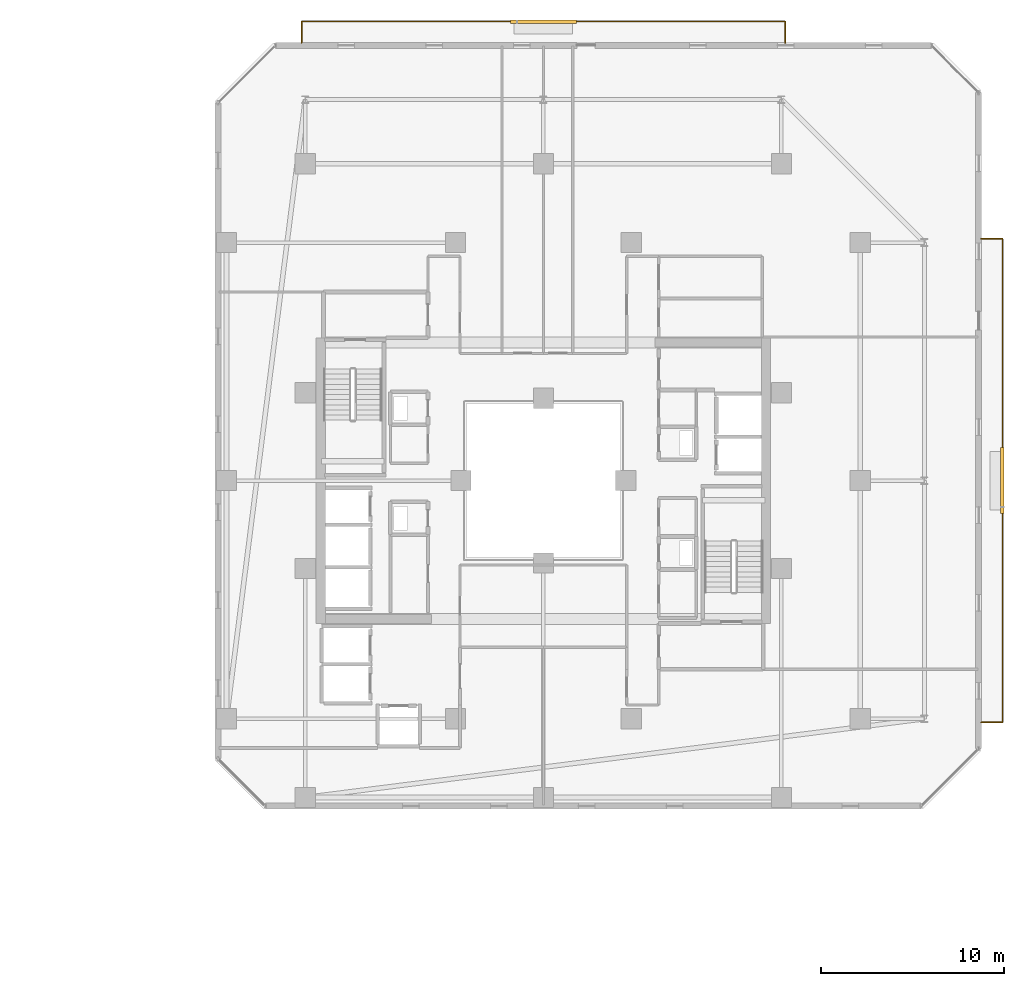
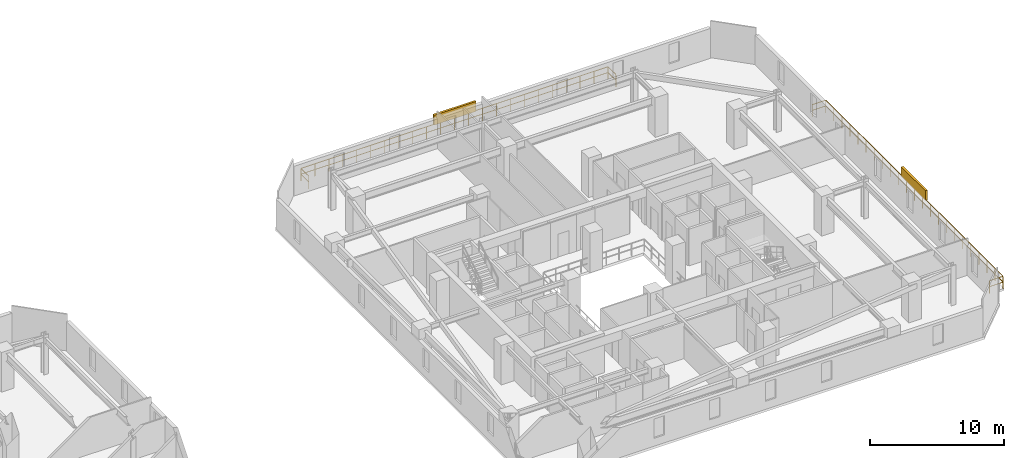
# One storey, part 33 of 33: 2 railings, 2 shading devices.
"""IFC4 building model written with IfcOpenShell, lengths in metres."""

from ifc_helpers import new_model, si_unit, direction, frame, origin, origin_2d, place, context, subcontext, project, spatial, rectangle, extrude, material, type_object, element, save


model = new_model("IFC4")

# Units and contexts
model_context = context("Model", 3, precision=1e-05, world=origin(), true_north=direction((0.0, 1.0)))
body_context = subcontext(model_context, "Body", "Model", "MODEL_VIEW")
ifc_project = project(units=[si_unit("LENGTHUNIT", "METRE"), si_unit("AREAUNIT", "SQUARE_METRE"), si_unit("VOLUMEUNIT", "CUBIC_METRE"), si_unit("PLANEANGLEUNIT", "RADIAN"), si_unit("MASSUNIT", "GRAM", prefix="KILO")], contexts=[model_context])

# Site, building, storey
site_placement = place(None, origin())
site = spatial("IfcSite", under=ifc_project, at=site_placement, CompositionType="ELEMENT")
building_placement = place(site_placement, origin())
building = spatial("IfcBuilding", under=site, at=building_placement, Name="Thornwick Lancets Civic Towers", CompositionType="ELEMENT")
storey_placement = place(building_placement, frame((0.0, 0.0, 163.5)))
storey = spatial("IfcBuildingStorey", under=building, at=storey_placement, Name="L43", CompositionType="ELEMENT", Elevation=163.5)

# Railings
ifc_material_1 = material(Name="Terracotta-capped laminated glass balustrade S355", Category="masonry")
railing_type = type_object("IfcRailingType", Name="RAIL_TERR_GUARD", PredefinedType="GUARDRAIL", material=ifc_material_1)
railing_1_placement = place(storey_placement, frame((112.39990234375, 13.800048828125, 0.0)))
element("IfcRailing", 1, at=railing_1_placement, inside=storey, type_object=railing_type, Name="L43 Tower B Balcony Guard E", PredefinedType="GUARDRAIL", context=body_context, shape_type="SweptSolid", body=[
    extrude(rectangle(XDim=0.048095703125, YDim=0.048095703125, at=origin_2d()), frame((0.0, 0.0, 1.1259765625), z_axis=(1.0, 0.0, 0.0), x_axis=(0.0, 1.0, 0.0)), (0.0, 0.0, 1.0), 1.138916015625),
    extrude(rectangle(XDim=0.0419921875, YDim=0.0419921875, at=origin_2d()), frame((0.03759765625, 0.0, 0.597900390625), z_axis=(1.0, 0.0, 0.0), x_axis=(0.0, 1.0, 0.0)), (0.0, 0.0, 1.0), 1.09521484375),
    extrude(rectangle(XDim=0.048095703125, YDim=0.048095703125, at=origin_2d()), frame((1.170166015625, 0.03125, 1.1259765625), z_axis=(0.0, 1.0, 0.0), x_axis=(-1.0, 0.0, 0.0)), (0.0, 0.0, 1.0), 26.33740234375),
    extrude(rectangle(XDim=0.0419921875, YDim=0.0419921875, at=origin_2d()), frame((1.170166015625, 0.03759765625, 0.597900390625), z_axis=(0.0, 1.0, 0.0), x_axis=(-1.0, 0.0, 0.0)), (0.0, 0.0, 1.0), 1.125),
    extrude(rectangle(XDim=0.0419921875, YDim=0.0419921875, at=origin_2d()), frame((1.170166015625, 1.237548828125, 0.597900390625), z_axis=(0.0, 1.0, 0.0), x_axis=(-1.0, 0.0, 0.0)), (0.0, 0.0, 1.0), 1.125),
    extrude(rectangle(XDim=0.0419921875, YDim=0.0419921875, at=origin_2d()), frame((1.170166015625, 2.4375, 0.597900390625), z_axis=(0.0, 1.0, 0.0), x_axis=(-1.0, 0.0, 0.0)), (0.0, 0.0, 1.0), 1.125),
    extrude(rectangle(XDim=0.0419921875, YDim=0.0419921875, at=origin_2d()), frame((1.170166015625, 3.637451171875, 0.597900390625), z_axis=(0.0, 1.0, 0.0), x_axis=(-1.0, 0.0, 0.0)), (0.0, 0.0, 1.0), 1.125),
    extrude(rectangle(XDim=0.0419921875, YDim=0.0419921875, at=origin_2d()), frame((1.170166015625, 4.83740234375, 0.597900390625), z_axis=(0.0, 1.0, 0.0), x_axis=(-1.0, 0.0, 0.0)), (0.0, 0.0, 1.0), 1.125),
    extrude(rectangle(XDim=0.0419921875, YDim=0.0419921875, at=origin_2d()), frame((1.170166015625, 6.037353515625, 0.597900390625), z_axis=(0.0, 1.0, 0.0), x_axis=(-1.0, 0.0, 0.0)), (0.0, 0.0, 1.0), 1.125),
    extrude(rectangle(XDim=0.0419921875, YDim=0.0419921875, at=origin_2d()), frame((1.170166015625, 7.237548828125, 0.597900390625), z_axis=(0.0, 1.0, 0.0), x_axis=(-1.0, 0.0, 0.0)), (0.0, 0.0, 1.0), 1.125),
    extrude(rectangle(XDim=0.0419921875, YDim=0.0419921875, at=origin_2d()), frame((1.170166015625, 8.4375, 0.597900390625), z_axis=(0.0, 1.0, 0.0), x_axis=(-1.0, 0.0, 0.0)), (0.0, 0.0, 1.0), 1.125),
    extrude(rectangle(XDim=0.0419921875, YDim=0.0419921875, at=origin_2d()), frame((1.170166015625, 9.637451171875, 0.597900390625), z_axis=(0.0, 1.0, 0.0), x_axis=(-1.0, 0.0, 0.0)), (0.0, 0.0, 1.0), 1.125),
    extrude(rectangle(XDim=0.0419921875, YDim=0.0419921875, at=origin_2d()), frame((1.170166015625, 10.83740234375, 0.597900390625), z_axis=(0.0, 1.0, 0.0), x_axis=(-1.0, 0.0, 0.0)), (0.0, 0.0, 1.0), 1.125),
    extrude(rectangle(XDim=0.0419921875, YDim=0.0419921875, at=origin_2d()), frame((1.170166015625, 12.037353515625, 0.597900390625), z_axis=(0.0, 1.0, 0.0), x_axis=(-1.0, 0.0, 0.0)), (0.0, 0.0, 1.0), 1.125),
    extrude(rectangle(XDim=0.0419921875, YDim=0.0419921875, at=origin_2d()), frame((1.170166015625, 13.237548828125, 0.597900390625), z_axis=(0.0, 1.0, 0.0), x_axis=(-1.0, 0.0, 0.0)), (0.0, 0.0, 1.0), 1.125),
    extrude(rectangle(XDim=0.0419921875, YDim=0.0419921875, at=origin_2d()), frame((1.170166015625, 14.4375, 0.597900390625), z_axis=(0.0, 1.0, 0.0), x_axis=(-1.0, 0.0, 0.0)), (0.0, 0.0, 1.0), 1.125),
    extrude(rectangle(XDim=0.0419921875, YDim=0.0419921875, at=origin_2d()), frame((1.170166015625, 15.637451171875, 0.597900390625), z_axis=(0.0, 1.0, 0.0), x_axis=(-1.0, 0.0, 0.0)), (0.0, 0.0, 1.0), 1.125),
    extrude(rectangle(XDim=0.0419921875, YDim=0.0419921875, at=origin_2d()), frame((1.170166015625, 16.83740234375, 0.597900390625), z_axis=(0.0, 1.0, 0.0), x_axis=(-1.0, 0.0, 0.0)), (0.0, 0.0, 1.0), 1.125),
    extrude(rectangle(XDim=0.0419921875, YDim=0.0419921875, at=origin_2d()), frame((1.170166015625, 18.037353515625, 0.597900390625), z_axis=(0.0, 1.0, 0.0), x_axis=(-1.0, 0.0, 0.0)), (0.0, 0.0, 1.0), 1.125),
    extrude(rectangle(XDim=0.0419921875, YDim=0.0419921875, at=origin_2d()), frame((1.170166015625, 19.2373046875, 0.597900390625), z_axis=(0.0, 1.0, 0.0), x_axis=(-1.0, 0.0, 0.0)), (0.0, 0.0, 1.0), 1.125),
    extrude(rectangle(XDim=0.0419921875, YDim=0.0419921875, at=origin_2d()), frame((1.170166015625, 20.4375, 0.597900390625), z_axis=(0.0, 1.0, 0.0), x_axis=(-1.0, 0.0, 0.0)), (0.0, 0.0, 1.0), 1.125),
    extrude(rectangle(XDim=0.0419921875, YDim=0.0419921875, at=origin_2d()), frame((1.170166015625, 21.637451171875, 0.597900390625), z_axis=(0.0, 1.0, 0.0), x_axis=(-1.0, 0.0, 0.0)), (0.0, 0.0, 1.0), 1.125),
    extrude(rectangle(XDim=0.0419921875, YDim=0.0419921875, at=origin_2d()), frame((1.170166015625, 22.83740234375, 0.597900390625), z_axis=(0.0, 1.0, 0.0), x_axis=(-1.0, 0.0, 0.0)), (0.0, 0.0, 1.0), 1.125),
    extrude(rectangle(XDim=0.0419921875, YDim=0.0419921875, at=origin_2d()), frame((1.170166015625, 24.037353515625, 0.597900390625), z_axis=(0.0, 1.0, 0.0), x_axis=(-1.0, 0.0, 0.0)), (0.0, 0.0, 1.0), 1.125),
    extrude(rectangle(XDim=0.0419921875, YDim=0.0419921875, at=origin_2d()), frame((1.170166015625, 25.2373046875, 0.597900390625), z_axis=(0.0, 1.0, 0.0), x_axis=(-1.0, 0.0, 0.0)), (0.0, 0.0, 1.0), 1.125),
    extrude(rectangle(XDim=0.048095703125, YDim=0.048095703125, at=origin_2d()), frame((1.138916015625, 26.39990234375, 1.1259765625), z_axis=(-1.0, 0.0, 0.0), x_axis=(0.0, -1.0, 0.0)), (0.0, 0.0, 1.0), 1.138916015625),
    extrude(rectangle(XDim=0.0419921875, YDim=0.0419921875, at=origin_2d()), frame((1.132568359375, 26.39990234375, 0.597900390625), z_axis=(-1.0, 0.0, 0.0), x_axis=(0.0, -1.0, 0.0)), (0.0, 0.0, 1.0), 1.09521484375),
    extrude(rectangle(XDim=0.0419921875, YDim=0.0419921875, at=origin_2d()), origin(), (0.0, 0.0, 1.0), 1.095703125),
    extrude(rectangle(XDim=0.0419921875, YDim=0.0419921875, at=origin_2d()), frame((1.170166015625, 0.0, 0.0)), (0.0, 0.0, 1.0), 1.095703125),
    extrude(rectangle(XDim=0.0419921875, YDim=0.0419921875, at=origin_2d()), frame((1.170166015625, 1.199951171875, 0.0)), (0.0, 0.0, 1.0), 1.095703125),
    extrude(rectangle(XDim=0.0419921875, YDim=0.0419921875, at=origin_2d()), frame((1.170166015625, 2.39990234375, 0.0)), (0.0, 0.0, 1.0), 1.095703125),
    extrude(rectangle(XDim=0.0419921875, YDim=0.0419921875, at=origin_2d()), frame((1.170166015625, 3.60009765625, 0.0)), (0.0, 0.0, 1.0), 1.095703125),
    extrude(rectangle(XDim=0.0419921875, YDim=0.0419921875, at=origin_2d()), frame((1.170166015625, 4.800048828125, 0.0)), (0.0, 0.0, 1.0), 1.095703125),
    extrude(rectangle(XDim=0.0419921875, YDim=0.0419921875, at=origin_2d()), frame((1.170166015625, 6.0, 0.0)), (0.0, 0.0, 1.0), 1.095703125),
    extrude(rectangle(XDim=0.0419921875, YDim=0.0419921875, at=origin_2d()), frame((1.170166015625, 7.199951171875, 0.0)), (0.0, 0.0, 1.0), 1.095703125),
    extrude(rectangle(XDim=0.0419921875, YDim=0.0419921875, at=origin_2d()), frame((1.170166015625, 8.39990234375, 0.0)), (0.0, 0.0, 1.0), 1.095703125),
    extrude(rectangle(XDim=0.0419921875, YDim=0.0419921875, at=origin_2d()), frame((1.170166015625, 9.599853515625, 0.0)), (0.0, 0.0, 1.0), 1.095703125),
    extrude(rectangle(XDim=0.0419921875, YDim=0.0419921875, at=origin_2d()), frame((1.170166015625, 10.800048828125, 0.0)), (0.0, 0.0, 1.0), 1.095703125),
    extrude(rectangle(XDim=0.0419921875, YDim=0.0419921875, at=origin_2d()), frame((1.170166015625, 12.0, 0.0)), (0.0, 0.0, 1.0), 1.095703125),
    extrude(rectangle(XDim=0.0419921875, YDim=0.0419921875, at=origin_2d()), frame((1.170166015625, 13.199951171875, 0.0)), (0.0, 0.0, 1.0), 1.095703125),
    extrude(rectangle(XDim=0.0419921875, YDim=0.0419921875, at=origin_2d()), frame((1.170166015625, 14.39990234375, 0.0)), (0.0, 0.0, 1.0), 1.095703125),
    extrude(rectangle(XDim=0.0419921875, YDim=0.0419921875, at=origin_2d()), frame((1.170166015625, 15.599853515625, 0.0)), (0.0, 0.0, 1.0), 1.095703125),
    extrude(rectangle(XDim=0.0419921875, YDim=0.0419921875, at=origin_2d()), frame((1.170166015625, 16.800048828125, 0.0)), (0.0, 0.0, 1.0), 1.095703125),
    extrude(rectangle(XDim=0.0419921875, YDim=0.0419921875, at=origin_2d()), frame((1.170166015625, 18.0, 0.0)), (0.0, 0.0, 1.0), 1.095703125),
    extrude(rectangle(XDim=0.0419921875, YDim=0.0419921875, at=origin_2d()), frame((1.170166015625, 19.199951171875, 0.0)), (0.0, 0.0, 1.0), 1.095703125),
    extrude(rectangle(XDim=0.0419921875, YDim=0.0419921875, at=origin_2d()), frame((1.170166015625, 20.39990234375, 0.0)), (0.0, 0.0, 1.0), 1.095703125),
    extrude(rectangle(XDim=0.0419921875, YDim=0.0419921875, at=origin_2d()), frame((1.170166015625, 21.599853515625, 0.0)), (0.0, 0.0, 1.0), 1.095703125),
    extrude(rectangle(XDim=0.0419921875, YDim=0.0419921875, at=origin_2d()), frame((1.170166015625, 22.7998046875, 0.0)), (0.0, 0.0, 1.0), 1.095703125),
    extrude(rectangle(XDim=0.0419921875, YDim=0.0419921875, at=origin_2d()), frame((1.170166015625, 24.0, 0.0)), (0.0, 0.0, 1.0), 1.095703125),
    extrude(rectangle(XDim=0.0419921875, YDim=0.0419921875, at=origin_2d()), frame((1.170166015625, 25.199951171875, 0.0)), (0.0, 0.0, 1.0), 1.095703125),
    extrude(rectangle(XDim=0.0419921875, YDim=0.0419921875, at=origin_2d()), frame((1.170166015625, 26.39990234375, 0.0)), (0.0, 0.0, 1.0), 1.095703125),
    extrude(rectangle(XDim=0.0419921875, YDim=0.0419921875, at=origin_2d()), frame((0.0, 26.39990234375, 0.0)), (0.0, 0.0, 1.0), 1.095703125),
])
railing_2_placement = place(storey_placement, frame((75.300048828125, 50.89990234375, 0.0)))
element("IfcRailing", 2, at=railing_2_placement, inside=storey, type_object=railing_type, Name="L43 Tower B Balcony Guard N", PredefinedType="GUARDRAIL", context=body_context, shape_type="SweptSolid", body=[
    extrude(rectangle(XDim=0.048095703125, YDim=0.048095703125, at=origin_2d()), frame((0.0, 0.0, 1.1259765625), z_axis=(0.0, 1.0, 0.0), x_axis=(-1.0, 0.0, 0.0)), (0.0, 0.0, 1.0), 1.138916015625),
    extrude(rectangle(XDim=0.0419921875, YDim=0.0419921875, at=origin_2d()), frame((0.0, 0.03759765625, 0.597900390625), z_axis=(0.0, 1.0, 0.0), x_axis=(-1.0, 0.0, 0.0)), (0.0, 0.0, 1.0), 1.09521484375),
    extrude(rectangle(XDim=0.048095703125, YDim=0.048095703125, at=origin_2d()), frame((0.03125, 1.170166015625, 1.1259765625), z_axis=(1.0, 0.0, 0.0), x_axis=(0.0, 1.0, 0.0)), (0.0, 0.0, 1.0), 26.33740234375),
    extrude(rectangle(XDim=0.0419921875, YDim=0.0419921875, at=origin_2d()), frame((0.03759765625, 1.170166015625, 0.597900390625), z_axis=(1.0, 0.0, 0.0), x_axis=(0.0, 1.0, 0.0)), (0.0, 0.0, 1.0), 1.125),
    extrude(rectangle(XDim=0.0419921875, YDim=0.0419921875, at=origin_2d()), frame((1.237548828125, 1.170166015625, 0.597900390625), z_axis=(1.0, 0.0, 0.0), x_axis=(0.0, 1.0, 0.0)), (0.0, 0.0, 1.0), 1.125),
    extrude(rectangle(XDim=0.0419921875, YDim=0.0419921875, at=origin_2d()), frame((2.4375, 1.170166015625, 0.597900390625), z_axis=(1.0, 0.0, 0.0), x_axis=(0.0, 1.0, 0.0)), (0.0, 0.0, 1.0), 1.125),
    extrude(rectangle(XDim=0.0419921875, YDim=0.0419921875, at=origin_2d()), frame((3.637451171875, 1.170166015625, 0.597900390625), z_axis=(1.0, 0.0, 0.0), x_axis=(0.0, 1.0, 0.0)), (0.0, 0.0, 1.0), 1.125),
    extrude(rectangle(XDim=0.0419921875, YDim=0.0419921875, at=origin_2d()), frame((4.83740234375, 1.170166015625, 0.597900390625), z_axis=(1.0, 0.0, 0.0), x_axis=(0.0, 1.0, 0.0)), (0.0, 0.0, 1.0), 1.125),
    extrude(rectangle(XDim=0.0419921875, YDim=0.0419921875, at=origin_2d()), frame((6.037353515625, 1.170166015625, 0.597900390625), z_axis=(1.0, 0.0, 0.0), x_axis=(0.0, 1.0, 0.0)), (0.0, 0.0, 1.0), 1.125),
    extrude(rectangle(XDim=0.0419921875, YDim=0.0419921875, at=origin_2d()), frame((7.237548828125, 1.170166015625, 0.597900390625), z_axis=(1.0, 0.0, 0.0), x_axis=(0.0, 1.0, 0.0)), (0.0, 0.0, 1.0), 1.125),
    extrude(rectangle(XDim=0.0419921875, YDim=0.0419921875, at=origin_2d()), frame((8.4375, 1.170166015625, 0.597900390625), z_axis=(1.0, 0.0, 0.0), x_axis=(0.0, 1.0, 0.0)), (0.0, 0.0, 1.0), 1.125),
    extrude(rectangle(XDim=0.0419921875, YDim=0.0419921875, at=origin_2d()), frame((9.637451171875, 1.170166015625, 0.597900390625), z_axis=(1.0, 0.0, 0.0), x_axis=(0.0, 1.0, 0.0)), (0.0, 0.0, 1.0), 1.125),
    extrude(rectangle(XDim=0.0419921875, YDim=0.0419921875, at=origin_2d()), frame((10.83740234375, 1.170166015625, 0.597900390625), z_axis=(1.0, 0.0, 0.0), x_axis=(0.0, 1.0, 0.0)), (0.0, 0.0, 1.0), 1.125),
    extrude(rectangle(XDim=0.0419921875, YDim=0.0419921875, at=origin_2d()), frame((12.037353515625, 1.170166015625, 0.597900390625), z_axis=(1.0, 0.0, 0.0), x_axis=(0.0, 1.0, 0.0)), (0.0, 0.0, 1.0), 1.125),
    extrude(rectangle(XDim=0.0419921875, YDim=0.0419921875, at=origin_2d()), frame((13.237548828125, 1.170166015625, 0.597900390625), z_axis=(1.0, 0.0, 0.0), x_axis=(0.0, 1.0, 0.0)), (0.0, 0.0, 1.0), 1.125),
    extrude(rectangle(XDim=0.0419921875, YDim=0.0419921875, at=origin_2d()), frame((14.4375, 1.170166015625, 0.597900390625), z_axis=(1.0, 0.0, 0.0), x_axis=(0.0, 1.0, 0.0)), (0.0, 0.0, 1.0), 1.125),
    extrude(rectangle(XDim=0.0419921875, YDim=0.0419921875, at=origin_2d()), frame((15.637451171875, 1.170166015625, 0.597900390625), z_axis=(1.0, 0.0, 0.0), x_axis=(0.0, 1.0, 0.0)), (0.0, 0.0, 1.0), 1.125),
    extrude(rectangle(XDim=0.0419921875, YDim=0.0419921875, at=origin_2d()), frame((16.83740234375, 1.170166015625, 0.597900390625), z_axis=(1.0, 0.0, 0.0), x_axis=(0.0, 1.0, 0.0)), (0.0, 0.0, 1.0), 1.125),
    extrude(rectangle(XDim=0.0419921875, YDim=0.0419921875, at=origin_2d()), frame((18.037353515625, 1.170166015625, 0.597900390625), z_axis=(1.0, 0.0, 0.0), x_axis=(0.0, 1.0, 0.0)), (0.0, 0.0, 1.0), 1.125),
    extrude(rectangle(XDim=0.0419921875, YDim=0.0419921875, at=origin_2d()), frame((19.2373046875, 1.170166015625, 0.597900390625), z_axis=(1.0, 0.0, 0.0), x_axis=(0.0, 1.0, 0.0)), (0.0, 0.0, 1.0), 1.125),
    extrude(rectangle(XDim=0.0419921875, YDim=0.0419921875, at=origin_2d()), frame((20.4375, 1.170166015625, 0.597900390625), z_axis=(1.0, 0.0, 0.0), x_axis=(0.0, 1.0, 0.0)), (0.0, 0.0, 1.0), 1.125),
    extrude(rectangle(XDim=0.0419921875, YDim=0.0419921875, at=origin_2d()), frame((21.637451171875, 1.170166015625, 0.597900390625), z_axis=(1.0, 0.0, 0.0), x_axis=(0.0, 1.0, 0.0)), (0.0, 0.0, 1.0), 1.125),
    extrude(rectangle(XDim=0.0419921875, YDim=0.0419921875, at=origin_2d()), frame((22.83740234375, 1.170166015625, 0.597900390625), z_axis=(1.0, 0.0, 0.0), x_axis=(0.0, 1.0, 0.0)), (0.0, 0.0, 1.0), 1.125),
    extrude(rectangle(XDim=0.0419921875, YDim=0.0419921875, at=origin_2d()), frame((24.037353515625, 1.170166015625, 0.597900390625), z_axis=(1.0, 0.0, 0.0), x_axis=(0.0, 1.0, 0.0)), (0.0, 0.0, 1.0), 1.125),
    extrude(rectangle(XDim=0.0419921875, YDim=0.0419921875, at=origin_2d()), frame((25.2373046875, 1.170166015625, 0.597900390625), z_axis=(1.0, 0.0, 0.0), x_axis=(0.0, 1.0, 0.0)), (0.0, 0.0, 1.0), 1.125),
    extrude(rectangle(XDim=0.048095703125, YDim=0.048095703125, at=origin_2d()), frame((26.39990234375, 1.138916015625, 1.1259765625), z_axis=(0.0, -1.0, 0.0), x_axis=(1.0, 0.0, 0.0)), (0.0, 0.0, 1.0), 1.138916015625),
    extrude(rectangle(XDim=0.0419921875, YDim=0.0419921875, at=origin_2d()), frame((26.39990234375, 1.132568359375, 0.597900390625), z_axis=(0.0, -1.0, 0.0), x_axis=(1.0, 0.0, 0.0)), (0.0, 0.0, 1.0), 1.09521484375),
    extrude(rectangle(XDim=0.0419921875, YDim=0.0419921875, at=origin_2d()), origin(), (0.0, 0.0, 1.0), 1.095703125),
    extrude(rectangle(XDim=0.0419921875, YDim=0.0419921875, at=origin_2d()), frame((0.0, 1.170166015625, 0.0)), (0.0, 0.0, 1.0), 1.095703125),
    extrude(rectangle(XDim=0.0419921875, YDim=0.0419921875, at=origin_2d()), frame((1.199951171875, 1.170166015625, 0.0)), (0.0, 0.0, 1.0), 1.095703125),
    extrude(rectangle(XDim=0.0419921875, YDim=0.0419921875, at=origin_2d()), frame((2.39990234375, 1.170166015625, 0.0)), (0.0, 0.0, 1.0), 1.095703125),
    extrude(rectangle(XDim=0.0419921875, YDim=0.0419921875, at=origin_2d()), frame((3.60009765625, 1.170166015625, 0.0)), (0.0, 0.0, 1.0), 1.095703125),
    extrude(rectangle(XDim=0.0419921875, YDim=0.0419921875, at=origin_2d()), frame((4.800048828125, 1.170166015625, 0.0)), (0.0, 0.0, 1.0), 1.095703125),
    extrude(rectangle(XDim=0.0419921875, YDim=0.0419921875, at=origin_2d()), frame((6.0, 1.170166015625, 0.0)), (0.0, 0.0, 1.0), 1.095703125),
    extrude(rectangle(XDim=0.0419921875, YDim=0.0419921875, at=origin_2d()), frame((7.199951171875, 1.170166015625, 0.0)), (0.0, 0.0, 1.0), 1.095703125),
    extrude(rectangle(XDim=0.0419921875, YDim=0.0419921875, at=origin_2d()), frame((8.39990234375, 1.170166015625, 0.0)), (0.0, 0.0, 1.0), 1.095703125),
    extrude(rectangle(XDim=0.0419921875, YDim=0.0419921875, at=origin_2d()), frame((9.599853515625, 1.170166015625, 0.0)), (0.0, 0.0, 1.0), 1.095703125),
    extrude(rectangle(XDim=0.0419921875, YDim=0.0419921875, at=origin_2d()), frame((10.800048828125, 1.170166015625, 0.0)), (0.0, 0.0, 1.0), 1.095703125),
    extrude(rectangle(XDim=0.0419921875, YDim=0.0419921875, at=origin_2d()), frame((12.0, 1.170166015625, 0.0)), (0.0, 0.0, 1.0), 1.095703125),
    extrude(rectangle(XDim=0.0419921875, YDim=0.0419921875, at=origin_2d()), frame((13.199951171875, 1.170166015625, 0.0)), (0.0, 0.0, 1.0), 1.095703125),
    extrude(rectangle(XDim=0.0419921875, YDim=0.0419921875, at=origin_2d()), frame((14.39990234375, 1.170166015625, 0.0)), (0.0, 0.0, 1.0), 1.095703125),
    extrude(rectangle(XDim=0.0419921875, YDim=0.0419921875, at=origin_2d()), frame((15.599853515625, 1.170166015625, 0.0)), (0.0, 0.0, 1.0), 1.095703125),
    extrude(rectangle(XDim=0.0419921875, YDim=0.0419921875, at=origin_2d()), frame((16.800048828125, 1.170166015625, 0.0)), (0.0, 0.0, 1.0), 1.095703125),
    extrude(rectangle(XDim=0.0419921875, YDim=0.0419921875, at=origin_2d()), frame((18.0, 1.170166015625, 0.0)), (0.0, 0.0, 1.0), 1.095703125),
    extrude(rectangle(XDim=0.0419921875, YDim=0.0419921875, at=origin_2d()), frame((19.199951171875, 1.170166015625, 0.0)), (0.0, 0.0, 1.0), 1.095703125),
    extrude(rectangle(XDim=0.0419921875, YDim=0.0419921875, at=origin_2d()), frame((20.39990234375, 1.170166015625, 0.0)), (0.0, 0.0, 1.0), 1.095703125),
    extrude(rectangle(XDim=0.0419921875, YDim=0.0419921875, at=origin_2d()), frame((21.599853515625, 1.170166015625, 0.0)), (0.0, 0.0, 1.0), 1.095703125),
    extrude(rectangle(XDim=0.0419921875, YDim=0.0419921875, at=origin_2d()), frame((22.7998046875, 1.170166015625, 0.0)), (0.0, 0.0, 1.0), 1.095703125),
    extrude(rectangle(XDim=0.0419921875, YDim=0.0419921875, at=origin_2d()), frame((24.0, 1.170166015625, 0.0)), (0.0, 0.0, 1.0), 1.095703125),
    extrude(rectangle(XDim=0.0419921875, YDim=0.0419921875, at=origin_2d()), frame((25.199951171875, 1.170166015625, 0.0)), (0.0, 0.0, 1.0), 1.095703125),
    extrude(rectangle(XDim=0.0419921875, YDim=0.0419921875, at=origin_2d()), frame((26.39990234375, 1.170166015625, 0.0)), (0.0, 0.0, 1.0), 1.095703125),
    extrude(rectangle(XDim=0.0419921875, YDim=0.0419921875, at=origin_2d()), frame((26.39990234375, 0.0, 0.0)), (0.0, 0.0, 1.0), 1.095703125),
])

# Shading devices
ifc_material_2 = material(Name="Extruded terracotta baguette solar screen", Category="masonry")
shading_device_type = type_object("IfcShadingDeviceType", Name="SHADE_BAGUETTE", PredefinedType="JALOUSIE", material=ifc_material_2)
for number, where, z_axis, x_axis, name in (
    (3, (113.56005859375, 27.0, 1.1201171875), (0.0, 0.0, 1.0), (0.0, 1.0, 0.0), "L43 Tower B Terracotta Baguette Screen E"),
    (4, (88.5, 52.06005859375, 1.1201171875), (0.0, 0.0, 1.0), (1.0, 0.0, 0.0), "L43 Tower B Terracotta Baguette Screen N"),
):
    element("IfcShadingDevice", number, at=place(storey_placement, frame(where, z_axis=z_axis, x_axis=x_axis)), inside=storey, type_object=shading_device_type, Name=name, PredefinedType="JALOUSIE", context=body_context, shape_type="SweptSolid", body=[
        extrude(rectangle(XDim=3.60009765625, YDim=0.179931640625, at=origin_2d()), origin(), (0.0, 0.0, 1.0), 0.89990234375),
    ])

save(model, "model.ifc")
